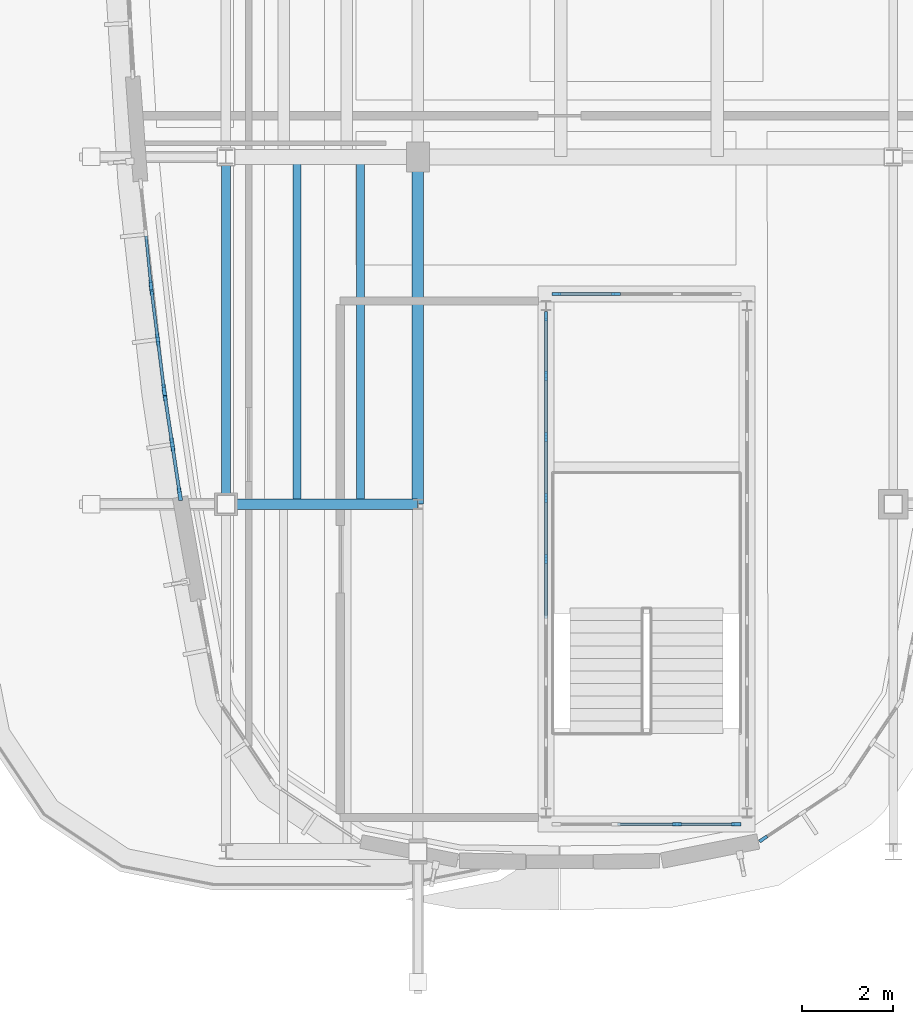
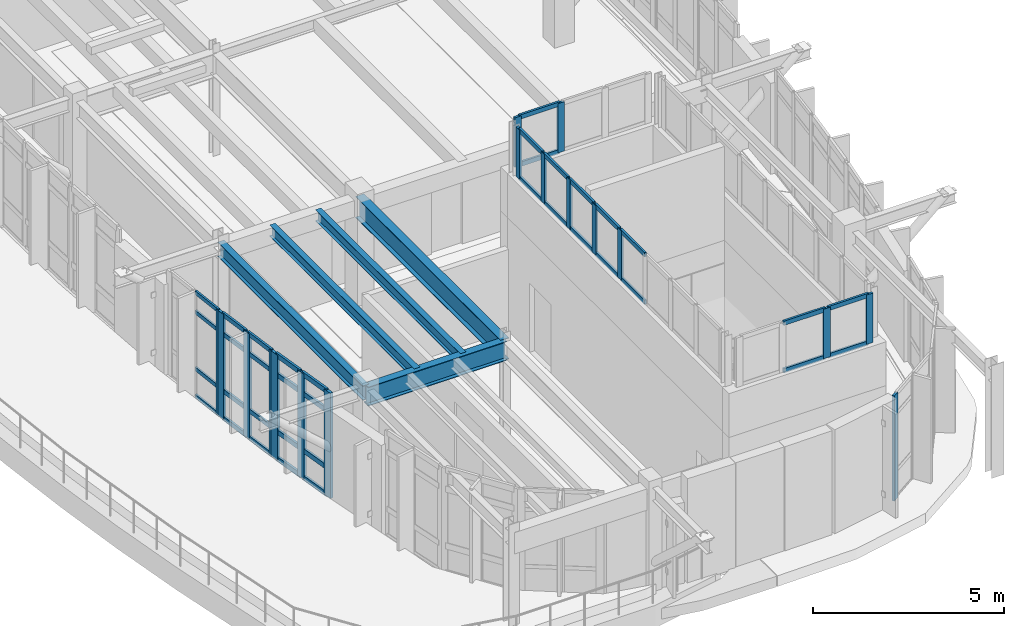
# One storey, part 4 of 20: 53 members, 5 beams, 7 elements without a shape of their own.
"""IFC4 building model written with IfcOpenShell, lengths in metres."""

from ifc_helpers import new_model, si_unit, direction, frame, origin, origin_2d, place, context, subcontext, project, spatial, rectangle, i_section, extrude, material, material_profile, profile_set, type_object, element, aggregate, save


model = new_model("IFC4")

# Units and contexts
model_context = context("Model", 3, precision=1e-05, world=origin(), true_north=direction((0.0, 1.0)))
body_context = subcontext(model_context, "Body", "Model", "MODEL_VIEW")
ifc_project = project(units=[si_unit("LENGTHUNIT", "METRE"), si_unit("AREAUNIT", "SQUARE_METRE"), si_unit("VOLUMEUNIT", "CUBIC_METRE"), si_unit("PLANEANGLEUNIT", "RADIAN"), si_unit("MASSUNIT", "GRAM", prefix="KILO")], contexts=[model_context])

# Site, building, storey
site_placement = place(None, origin())
site = spatial("IfcSite", under=ifc_project, at=site_placement, CompositionType="ELEMENT")
building_placement = place(site_placement, origin())
building = spatial("IfcBuilding", under=site, at=building_placement, Name="Corveleigh Park Community Centre", CompositionType="ELEMENT")
storey_placement = place(building_placement, frame((0.0, 0.0, 19.800048828125)))
storey = spatial("IfcBuildingStorey", under=building, at=storey_placement, Name="L05", CompositionType="ELEMENT", Elevation=19.800048828125)

# Beams
ifc_material_1 = material(Name="Steel S355", Category="steel")
ifc_material_profile_1 = material_profile(ifc_material_1, i_section(OverallWidth=0.17138671875, OverallDepth=0.35498046875, WebThickness=0.00732421875, FlangeThickness=0.011474609375, at=origin_2d()), Name="UKB 356x171x51", Category="steel")
ifc_profile_set_1 = profile_set([ifc_material_profile_1], Name="Steel S355")
beam_type_1 = type_object("IfcBeamType", Name="BM-STL-UKB356x51", PredefinedType="JOIST", material=ifc_profile_set_1)
for number, where, z_axis, x_axis, name in (
    (1, (155.35400390625, 66.205078125, 3.134521484375), (0.0, 1.0, 0.0), (-1.0, 0.0, 0.0), "Secondary floor joist"),
    (2, (156.739990234375, 66.205078125, 3.134521484375), (0.0, 1.0, 0.0), (-1.0, 0.0, 0.0), "Secondary floor joist"),
):
    element("IfcBeam", number, at=place(storey_placement, frame(where, z_axis=z_axis, x_axis=x_axis)), inside=storey, type_object=beam_type_1, Name=name, PredefinedType="JOIST", context=body_context, shape_type="SweptSolid", body=[
        extrude(i_section(OverallWidth=0.17138671875, OverallDepth=0.35498046875, WebThickness=0.00732421875, FlangeThickness=0.011474609375, at=origin_2d()), origin(), (0.0, 0.0, 1.0), 7.58984375),
    ])
ifc_material_profile_2 = material_profile(ifc_material_1, i_section(OverallWidth=0.19189453125, OverallDepth=0.46337890625, WebThickness=0.010498046875, FlangeThickness=0.017578125, at=origin_2d()), Name="UKB 457x191x89", Category="steel")
ifc_profile_set_2 = profile_set([ifc_material_profile_2], Name="Steel S355")
beam_type_2 = type_object("IfcBeamType", Name="BM-STL-UKB457x89", PredefinedType="BEAM", material=ifc_profile_set_2)
beam_1_placement = place(storey_placement, frame((153.800048828125, 66.205078125, 3.080322265625), z_axis=(0.0, 1.0, 0.0), x_axis=(-1.0, 0.0, 0.0)))
element("IfcBeam", 3, at=beam_1_placement, inside=storey, type_object=beam_type_2, Name="V4 Girder Y", PredefinedType="BEAM", context=body_context, shape_type="SweptSolid", body=[
    extrude(i_section(OverallWidth=0.19189453125, OverallDepth=0.46337890625, WebThickness=0.010498046875, FlangeThickness=0.017578125, at=origin_2d()), origin(), (0.0, 0.0, 1.0), 7.58984375),
])
ifc_material_profile_3 = material_profile(ifc_material_1, i_section(OverallWidth=0.228271484375, OverallDepth=0.607666015625, WebThickness=0.010986328125, FlangeThickness=0.017333984375, at=origin_2d()), Name="UKB 610x229x113", Category="steel")
ifc_profile_set_3 = profile_set([ifc_material_profile_3], Name="Steel S355")
beam_type_3 = type_object("IfcBeamType", Name="BM-STL-UKB610x113", PredefinedType="BEAM", material=ifc_profile_set_3)
beam_2_placement = place(storey_placement, frame((153.804931640625, 66.199951171875, 3.008056640625), z_axis=(1.0, 0.0, 0.0), x_axis=(0.0, 1.0, 0.0)))
element("IfcBeam", 4, at=beam_2_placement, inside=storey, type_object=beam_type_3, Name="V4 Girder X", PredefinedType="BEAM", context=body_context, shape_type="SweptSolid", body=[
    extrude(i_section(OverallWidth=0.228271484375, OverallDepth=0.607666015625, WebThickness=0.010986328125, FlangeThickness=0.017333984375, at=origin_2d()), origin(), (0.0, 0.0, 1.0), 4.190185546875),
])
ifc_material_profile_4 = material_profile(ifc_material_1, i_section(OverallWidth=0.253662109375, OverallDepth=0.68359375, WebThickness=0.012451171875, FlangeThickness=0.01904296875, at=origin_2d()), Name="UKB 686x254x140", Category="steel")
ifc_profile_set_4 = profile_set([ifc_material_profile_4], Name="Steel S355")
beam_type_4 = type_object("IfcBeamType", Name="BM-STL-UKB686x140", PredefinedType="BEAM", material=ifc_profile_set_4)
beam_3_placement = place(storey_placement, frame((158.0, 66.205078125, 2.97021484375), z_axis=(0.0, 1.0, 0.0), x_axis=(-1.0, 0.0, 0.0)))
element("IfcBeam", 5, at=beam_3_placement, inside=storey, type_object=beam_type_4, Name="V4 Girder Y", PredefinedType="BEAM", context=body_context, shape_type="SweptSolid", body=[
    extrude(i_section(OverallWidth=0.253662109375, OverallDepth=0.68359375, WebThickness=0.012451171875, FlangeThickness=0.01904296875, at=origin_2d()), origin(), (0.0, 0.0, 1.0), 7.58984375),
])

# Curtain wall, member
ifc_material_2 = material(Name="Anodised aluminium 6063-T6", Category="aluminium")
curtain_wall_type = type_object("IfcCurtainWallType", Name="CW-SYS-V4-L03", PredefinedType="NOTDEFINED", material=ifc_material_2)
curtain_wall_1_placement = place(storey_placement, origin())
curtain_wall_1 = element("IfcCurtainWall", 6, at=curtain_wall_1_placement, inside=storey, type_object=curtain_wall_type, Name="V4 L05 Curtain Wall 471", PredefinedType="NOTDEFINED")
ifc_material_profile_5 = material_profile(ifc_material_2, rectangle(XDim=0.070068359375, YDim=0.199951171875, at=origin_2d()), Name="ALU-M70x200", Category="aluminium")
ifc_profile_set_5 = profile_set([ifc_material_profile_5], Name="Anodised aluminium 6063-T6")
member_type_1 = type_object("IfcMemberType", Name="CWM-70x200", PredefinedType="MULLION", material=ifc_profile_set_5)
member_1_placement = place(storey_placement, frame((165.55517578125, 58.87744140625, 0.0), z_axis=(0.0, 0.0, 1.0), x_axis=(0.555458443376, -0.831544296886, 0.0)))
member_1 = element("IfcMember", 7, at=member_1_placement, type_object=member_type_1, Name="CW09 mullion 3", PredefinedType="MULLION", context=body_context, shape_type="SweptSolid", body=[
    extrude(rectangle(XDim=0.070068359375, YDim=0.199951171875, at=origin_2d()), origin(), (0.0, 0.0, 1.0), 3.364013671875),
])
aggregate(curtain_wall_1, [member_1])

# Curtain wall, members
curtain_wall_2_placement = place(storey_placement, origin())
curtain_wall_2 = element("IfcCurtainWall", 8, at=curtain_wall_2_placement, inside=storey, type_object=curtain_wall_type, Name="Crown Lantern S Clerestory", PredefinedType="NOTDEFINED")
member_2_placement = place(storey_placement, frame((163.666748046875, 59.199951171875, 5.0), z_axis=(0.0, 0.0, 1.0), x_axis=(0.0, 1.0, 0.0)))
member_2 = element("IfcMember", 9, at=member_2_placement, type_object=member_type_1, Name="CW09 mullion 3", PredefinedType="MULLION", context=body_context, shape_type="SweptSolid", body=[
    extrude(rectangle(XDim=0.070068359375, YDim=0.199951171875, at=origin_2d()), origin(), (0.0, 0.0, 1.0), 1.579833984375),
])
member_3_placement = place(storey_placement, frame((164.965087890625, 59.199951171875, 5.0), z_axis=(0.0, 0.0, 1.0), x_axis=(0.0, 1.0, 0.0)))
member_3 = element("IfcMember", 10, at=member_3_placement, type_object=member_type_1, Name="CW09 mullion 4", PredefinedType="MULLION", context=body_context, shape_type="SweptSolid", body=[
    extrude(rectangle(XDim=0.070068359375, YDim=0.199951171875, at=origin_2d()), origin(), (0.0, 0.0, 1.0), 1.579833984375),
])

curtain_wall_3_placement = place(storey_placement, origin())
curtain_wall_3 = element("IfcCurtainWall", 11, at=curtain_wall_3_placement, inside=storey, type_object=curtain_wall_type, Name="Crown Lantern N Clerestory", PredefinedType="NOTDEFINED")
member_4_placement = place(storey_placement, frame((162.333251953125, 70.800048828125, 5.0), z_axis=(0.0, 0.0, 1.0), x_axis=(0.0, -1.0, 0.0)))
member_4 = element("IfcMember", 12, at=member_4_placement, type_object=member_type_1, Name="CW09 mullion 3", PredefinedType="MULLION", context=body_context, shape_type="SweptSolid", body=[
    extrude(rectangle(XDim=0.070068359375, YDim=0.199951171875, at=origin_2d()), origin(), (0.0, 0.0, 1.0), 1.579833984375),
])
member_5_placement = place(storey_placement, frame((161.034912109375, 70.800048828125, 5.0), z_axis=(0.0, 0.0, 1.0), x_axis=(0.0, -1.0, 0.0)))
member_5 = element("IfcMember", 13, at=member_5_placement, type_object=member_type_1, Name="CW09 mullion 4", PredefinedType="MULLION", context=body_context, shape_type="SweptSolid", body=[
    extrude(rectangle(XDim=0.070068359375, YDim=0.199951171875, at=origin_2d()), origin(), (0.0, 0.0, 1.0), 1.579833984375),
])

curtain_wall_4_placement = place(storey_placement, origin())
curtain_wall_4 = element("IfcCurtainWall", 14, at=curtain_wall_4_placement, inside=storey, type_object=curtain_wall_type, Name="Crown Lantern W Clerestory", PredefinedType="NOTDEFINED")
member_6_placement = place(storey_placement, frame((160.800048828125, 70.31494140625, 5.0), z_axis=(0.0, 0.0, 1.0), x_axis=(1.0, 0.0, 0.0)))
member_6 = element("IfcMember", 15, at=member_6_placement, type_object=member_type_1, Name="CW09 mullion 1", PredefinedType="MULLION", context=body_context, shape_type="SweptSolid", body=[
    extrude(rectangle(XDim=0.070068359375, YDim=0.199951171875, at=origin_2d()), origin(), (0.0, 0.0, 1.0), 1.579833984375),
])
member_7_placement = place(storey_placement, frame((160.800048828125, 69.012451171875, 5.0), z_axis=(0.0, 0.0, 1.0), x_axis=(1.0, 0.0, 0.0)))
member_7 = element("IfcMember", 16, at=member_7_placement, type_object=member_type_1, Name="CW09 mullion 2", PredefinedType="MULLION", context=body_context, shape_type="SweptSolid", body=[
    extrude(rectangle(XDim=0.070068359375, YDim=0.199951171875, at=origin_2d()), origin(), (0.0, 0.0, 1.0), 1.579833984375),
])
member_8_placement = place(storey_placement, frame((160.800048828125, 67.675048828125, 5.0), z_axis=(0.0, 0.0, 1.0), x_axis=(1.0, 0.0, 0.0)))
member_8 = element("IfcMember", 17, at=member_8_placement, type_object=member_type_1, Name="CW09 mullion 3", PredefinedType="MULLION", context=body_context, shape_type="SweptSolid", body=[
    extrude(rectangle(XDim=0.070068359375, YDim=0.199951171875, at=origin_2d()), origin(), (0.0, 0.0, 1.0), 1.579833984375),
])
member_9_placement = place(storey_placement, frame((160.800048828125, 66.33740234375, 5.0), z_axis=(0.0, 0.0, 1.0), x_axis=(1.0, 0.0, 0.0)))
member_9 = element("IfcMember", 18, at=member_9_placement, type_object=member_type_1, Name="CW09 mullion 4", PredefinedType="MULLION", context=body_context, shape_type="SweptSolid", body=[
    extrude(rectangle(XDim=0.070068359375, YDim=0.199951171875, at=origin_2d()), origin(), (0.0, 0.0, 1.0), 1.579833984375),
])
member_10_placement = place(storey_placement, frame((160.800048828125, 65.0, 5.0), z_axis=(0.0, 0.0, 1.0), x_axis=(1.0, 0.0, 0.0)))
member_10 = element("IfcMember", 19, at=member_10_placement, type_object=member_type_1, Name="CW09 mullion 5", PredefinedType="MULLION", context=body_context, shape_type="SweptSolid", body=[
    extrude(rectangle(XDim=0.070068359375, YDim=0.199951171875, at=origin_2d()), origin(), (0.0, 0.0, 1.0), 1.579833984375),
])

# Curtain wall, member
curtain_wall_5_placement = place(storey_placement, origin())
curtain_wall_5 = element("IfcCurtainWall", 20, at=curtain_wall_5_placement, inside=storey, type_object=curtain_wall_type, Name="V4 L05 Curtain Wall 496", PredefinedType="NOTDEFINED")
ifc_material_profile_6 = material_profile(ifc_material_2, rectangle(XDim=0.074951171875, YDim=0.219970703125, at=origin_2d()), Name="ALU-M75x220", Category="aluminium")
ifc_profile_set_6 = profile_set([ifc_material_profile_6], Name="Anodised aluminium 6063-T6")
member_type_2 = type_object("IfcMemberType", Name="CWM-75x220", PredefinedType="MULLION", material=ifc_profile_set_6)
member_11_placement = place(storey_placement, frame((152.158203125, 71.000244140625, 0.0), z_axis=(0.0, 0.0, 1.0), x_axis=(-0.995015609659, -0.099719288676, 0.0)))
member_11 = element("IfcMember", 21, at=member_11_placement, type_object=member_type_2, Name="CW09 mullion 1", PredefinedType="MULLION", context=body_context, shape_type="SweptSolid", body=[
    extrude(rectangle(XDim=0.074951171875, YDim=0.219970703125, at=origin_2d()), origin(), (0.0, 0.0, 1.0), 3.364013671875),
])

# Curtain wall, members
curtain_wall_6_placement = place(storey_placement, origin())
curtain_wall_6 = element("IfcCurtainWall", 22, at=curtain_wall_6_placement, inside=storey, type_object=curtain_wall_type, Name="V4 L05 Curtain Wall 497", PredefinedType="NOTDEFINED")
ifc_material_profile_7 = material_profile(ifc_material_2, rectangle(XDim=0.080078125, YDim=0.25, at=origin_2d()), Name="ALU-M80x250", Category="aluminium")
ifc_profile_set_7 = profile_set([ifc_material_profile_7], Name="Anodised aluminium 6063-T6")
member_type_3 = type_object("IfcMemberType", Name="CWM-80x250", PredefinedType="MULLION", material=ifc_profile_set_7)
member_12_placement = place(storey_placement, frame((152.446044921875, 68.70458984375, 0.0), z_axis=(0.0, 0.0, 1.0), x_axis=(-0.992170389776, -0.124891623628, 0.0)))
member_12 = element("IfcMember", 23, at=member_12_placement, type_object=member_type_3, Name="CW09 mullion 1", PredefinedType="MULLION", context=body_context, shape_type="SweptSolid", body=[
    extrude(rectangle(XDim=0.080078125, YDim=0.25, at=origin_2d()), origin(), (0.0, 0.0, 1.0), 3.364013671875),
])
member_13_placement = place(storey_placement, frame((152.3076171875, 69.804931640625, 0.0), z_axis=(0.0, 0.0, 1.0), x_axis=(-0.992170389776, -0.124891623628, 0.0)))
member_13 = element("IfcMember", 24, at=member_13_placement, type_object=member_type_3, Name="CW09 mullion 2", PredefinedType="MULLION", context=body_context, shape_type="SweptSolid", body=[
    extrude(rectangle(XDim=0.080078125, YDim=0.25, at=origin_2d()), origin(), (0.0, 0.0, 1.0), 3.364013671875),
])
member_14_placement = place(storey_placement, frame((152.1689453125, 70.9052734375, 0.0), z_axis=(0.0, 0.0, 1.0), x_axis=(-0.992170389776, -0.124891623628, 0.0)))
member_14 = element("IfcMember", 25, at=member_14_placement, type_object=member_type_3, Name="CW09 mullion 3", PredefinedType="MULLION", context=body_context, shape_type="SweptSolid", body=[
    extrude(rectangle(XDim=0.080078125, YDim=0.25, at=origin_2d()), origin(), (0.0, 0.0, 1.0), 3.364013671875),
])

curtain_wall_7_placement = place(storey_placement, origin())
curtain_wall_7 = element("IfcCurtainWall", 26, at=curtain_wall_7_placement, inside=storey, type_object=curtain_wall_type, Name="V4 L05 Curtain Wall 498", PredefinedType="NOTDEFINED")
ifc_material_profile_8 = material_profile(ifc_material_2, rectangle(XDim=0.0849609375, YDim=0.27490234375, at=origin_2d()), Name="ALU-M85x275", Category="aluminium")
ifc_profile_set_8 = profile_set([ifc_material_profile_8], Name="Anodised aluminium 6063-T6")
member_type_4 = type_object("IfcMemberType", Name="CWM-85x275", PredefinedType="MULLION", material=ifc_profile_set_8)
member_15_placement = place(storey_placement, frame((152.78955078125, 66.4189453125, 0.0), z_axis=(0.0, 0.0, 1.0), x_axis=(-0.988795450812, -0.149276778011, 0.0)))
member_15 = element("IfcMember", 27, at=member_15_placement, type_object=member_type_4, Name="CW09 mullion 1", PredefinedType="MULLION", context=body_context, shape_type="SweptSolid", body=[
    extrude(rectangle(XDim=0.0849609375, YDim=0.27490234375, at=origin_2d()), origin(), (0.0, 0.0, 1.0), 3.364013671875),
])
member_16_placement = place(storey_placement, frame((152.62451171875, 67.512939453125, 0.0), z_axis=(0.0, 0.0, 1.0), x_axis=(-0.988795450812, -0.149276778011, 0.0)))
member_16 = element("IfcMember", 28, at=member_16_placement, type_object=member_type_4, Name="CW09 mullion 2", PredefinedType="MULLION", context=body_context, shape_type="SweptSolid", body=[
    extrude(rectangle(XDim=0.0849609375, YDim=0.27490234375, at=origin_2d()), origin(), (0.0, 0.0, 1.0), 3.364013671875),
])
member_17_placement = place(storey_placement, frame((152.459228515625, 68.60693359375, 0.0), z_axis=(0.0, 0.0, 1.0), x_axis=(-0.988795450812, -0.149276778011, 0.0)))
member_17 = element("IfcMember", 29, at=member_17_placement, type_object=member_type_4, Name="CW09 mullion 3", PredefinedType="MULLION", context=body_context, shape_type="SweptSolid", body=[
    extrude(rectangle(XDim=0.0849609375, YDim=0.27490234375, at=origin_2d()), origin(), (0.0, 0.0, 1.0), 3.364013671875),
])

# Member
ifc_material_profile_9 = material_profile(ifc_material_2, rectangle(XDim=0.06005859375, YDim=0.1201171875, at=origin_2d()), Name="ALU-T60x120", Category="aluminium")
ifc_profile_set_9 = profile_set([ifc_material_profile_9], Name="Anodised aluminium 6063-T6")
member_type_5 = type_object("IfcMemberType", Name="CWT-60x120", PredefinedType="USERDEFINED", material=ifc_profile_set_9)
member_18_placement = place(storey_placement, frame((152.154541015625, 71.03759765625, 0.030029296875), z_axis=(-0.099713773204, 0.995016162398, 0.0), x_axis=(-0.995016162398, -0.099713773204, 0.0)))
member_18 = element("IfcMember", 30, at=member_18_placement, type_object=member_type_5, Name="CW09 transom 1.1", ObjectType="TRANSOM", PredefinedType="USERDEFINED", context=body_context, shape_type="SweptSolid", body=[
    extrude(rectangle(XDim=0.06005859375, YDim=0.1201171875, at=origin_2d()), origin(), (0.0, 0.0, 1.0), 1.03564453125),
])

member_19_placement = place(storey_placement, frame((152.154541015625, 71.03759765625, 0.89990234375), z_axis=(-0.099713773204, 0.995016162398, 0.0), x_axis=(-0.995016162398, -0.099713773204, 0.0)))
member_19 = element("IfcMember", 31, at=member_19_placement, type_object=member_type_5, Name="CW09 transom 1.2", ObjectType="TRANSOM", PredefinedType="USERDEFINED", context=body_context, shape_type="SweptSolid", body=[
    extrude(rectangle(XDim=0.06005859375, YDim=0.1201171875, at=origin_2d()), origin(), (0.0, 0.0, 1.0), 1.03564453125),
])

member_20_placement = place(storey_placement, frame((152.154541015625, 71.03759765625, 2.7138671875), z_axis=(-0.099713773204, 0.995016162398, 0.0), x_axis=(-0.995016162398, -0.099713773204, 0.0)))
member_20 = element("IfcMember", 32, at=member_20_placement, type_object=member_type_5, Name="CW09 transom 1.3", ObjectType="TRANSOM", PredefinedType="USERDEFINED", context=body_context, shape_type="SweptSolid", body=[
    extrude(rectangle(XDim=0.06005859375, YDim=0.1201171875, at=origin_2d()), origin(), (0.0, 0.0, 1.0), 1.03564453125),
])

member_21_placement = place(storey_placement, frame((152.154541015625, 71.03759765625, 3.333984375), z_axis=(-0.099713773204, 0.995016162398, 0.0), x_axis=(-0.995016162398, -0.099713773204, 0.0)))
member_21 = element("IfcMember", 33, at=member_21_placement, type_object=member_type_5, Name="CW09 transom 1.4", ObjectType="TRANSOM", PredefinedType="USERDEFINED", context=body_context, shape_type="SweptSolid", body=[
    extrude(rectangle(XDim=0.06005859375, YDim=0.1201171875, at=origin_2d()), origin(), (0.0, 0.0, 1.0), 1.03564453125),
])

aggregate(curtain_wall_5, [member_11, member_18, member_19, member_20, member_21])

ifc_material_profile_10 = material_profile(ifc_material_2, rectangle(XDim=0.06494140625, YDim=0.139892578125, at=origin_2d()), Name="ALU-T65x140", Category="aluminium")
ifc_profile_set_10 = profile_set([ifc_material_profile_10], Name="Anodised aluminium 6063-T6")
member_type_6 = type_object("IfcMemberType", Name="CWT-65x140", PredefinedType="USERDEFINED", material=ifc_profile_set_10)
member_22_placement = place(storey_placement, frame((152.44091796875, 68.744384765625, 0.032470703125), z_axis=(-0.124793900722, 0.992182685972, 0.0), x_axis=(-0.992182685972, -0.124793900722, 0.0)))
member_22 = element("IfcMember", 34, at=member_22_placement, type_object=member_type_6, Name="CW09 transom 1.1", ObjectType="TRANSOM", PredefinedType="USERDEFINED", context=body_context, shape_type="SweptSolid", body=[
    extrude(rectangle(XDim=0.06494140625, YDim=0.139892578125, at=origin_2d()), origin(), (0.0, 0.0, 1.0), 1.029052734375),
])

member_23_placement = place(storey_placement, frame((152.44091796875, 68.744384765625, 0.89990234375), z_axis=(-0.124793900722, 0.992182685972, 0.0), x_axis=(-0.992182685972, -0.124793900722, 0.0)))
member_23 = element("IfcMember", 35, at=member_23_placement, type_object=member_type_6, Name="CW09 transom 1.2", ObjectType="TRANSOM", PredefinedType="USERDEFINED", context=body_context, shape_type="SweptSolid", body=[
    extrude(rectangle(XDim=0.06494140625, YDim=0.139892578125, at=origin_2d()), origin(), (0.0, 0.0, 1.0), 1.029052734375),
])

member_24_placement = place(storey_placement, frame((152.44091796875, 68.744384765625, 2.7138671875), z_axis=(-0.124793900722, 0.992182685972, 0.0), x_axis=(-0.992182685972, -0.124793900722, 0.0)))
member_24 = element("IfcMember", 36, at=member_24_placement, type_object=member_type_6, Name="CW09 transom 1.3", ObjectType="TRANSOM", PredefinedType="USERDEFINED", context=body_context, shape_type="SweptSolid", body=[
    extrude(rectangle(XDim=0.06494140625, YDim=0.139892578125, at=origin_2d()), origin(), (0.0, 0.0, 1.0), 1.029052734375),
])

member_25_placement = place(storey_placement, frame((152.44091796875, 68.744384765625, 3.33154296875), z_axis=(-0.124793900722, 0.992182685972, 0.0), x_axis=(-0.992182685972, -0.124793900722, 0.0)))
member_25 = element("IfcMember", 37, at=member_25_placement, type_object=member_type_6, Name="CW09 transom 1.4", ObjectType="TRANSOM", PredefinedType="USERDEFINED", context=body_context, shape_type="SweptSolid", body=[
    extrude(rectangle(XDim=0.06494140625, YDim=0.139892578125, at=origin_2d()), origin(), (0.0, 0.0, 1.0), 1.029052734375),
])

member_26_placement = place(storey_placement, frame((152.302490234375, 69.8447265625, 0.032470703125), z_axis=(-0.124793900722, 0.992182685972, 0.0), x_axis=(-0.992182685972, -0.124793900722, 0.0)))
member_26 = element("IfcMember", 38, at=member_26_placement, type_object=member_type_6, Name="CW09 transom 2.1", ObjectType="TRANSOM", PredefinedType="USERDEFINED", context=body_context, shape_type="SweptSolid", body=[
    extrude(rectangle(XDim=0.06494140625, YDim=0.139892578125, at=origin_2d()), origin(), (0.0, 0.0, 1.0), 1.029052734375),
])

member_27_placement = place(storey_placement, frame((152.302490234375, 69.8447265625, 0.89990234375), z_axis=(-0.124793900722, 0.992182685972, 0.0), x_axis=(-0.992182685972, -0.124793900722, 0.0)))
member_27 = element("IfcMember", 39, at=member_27_placement, type_object=member_type_6, Name="CW09 transom 2.2", ObjectType="TRANSOM", PredefinedType="USERDEFINED", context=body_context, shape_type="SweptSolid", body=[
    extrude(rectangle(XDim=0.06494140625, YDim=0.139892578125, at=origin_2d()), origin(), (0.0, 0.0, 1.0), 1.029052734375),
])

member_28_placement = place(storey_placement, frame((152.302490234375, 69.8447265625, 2.7138671875), z_axis=(-0.124793900722, 0.992182685972, 0.0), x_axis=(-0.992182685972, -0.124793900722, 0.0)))
member_28 = element("IfcMember", 40, at=member_28_placement, type_object=member_type_6, Name="CW09 transom 2.3", ObjectType="TRANSOM", PredefinedType="USERDEFINED", context=body_context, shape_type="SweptSolid", body=[
    extrude(rectangle(XDim=0.06494140625, YDim=0.139892578125, at=origin_2d()), origin(), (0.0, 0.0, 1.0), 1.029052734375),
])

member_29_placement = place(storey_placement, frame((152.302490234375, 69.8447265625, 3.33154296875), z_axis=(-0.124793900722, 0.992182685972, 0.0), x_axis=(-0.992182685972, -0.124793900722, 0.0)))
member_29 = element("IfcMember", 41, at=member_29_placement, type_object=member_type_6, Name="CW09 transom 2.4", ObjectType="TRANSOM", PredefinedType="USERDEFINED", context=body_context, shape_type="SweptSolid", body=[
    extrude(rectangle(XDim=0.06494140625, YDim=0.139892578125, at=origin_2d()), origin(), (0.0, 0.0, 1.0), 1.029052734375),
])

aggregate(curtain_wall_6, [member_12, member_13, member_14, member_22, member_23, member_24, member_25, member_26, member_27, member_28, member_29])

member_30_placement = place(storey_placement, frame((162.368408203125, 59.199951171875, 5.032470703125), z_axis=(1.0, 0.0, 0.0), x_axis=(0.0, 1.0, 0.0)))
member_30 = element("IfcMember", 42, at=member_30_placement, type_object=member_type_6, Name="CW09 transom 2.1", ObjectType="TRANSOM", PredefinedType="USERDEFINED", context=body_context, shape_type="SweptSolid", body=[
    extrude(rectangle(XDim=0.06494140625, YDim=0.139892578125, at=origin_2d()), origin(), (0.0, 0.0, 1.0), 1.26318359375),
])

member_31_placement = place(storey_placement, frame((162.368408203125, 59.199951171875, 6.54736328125), z_axis=(1.0, 0.0, 0.0), x_axis=(0.0, 1.0, 0.0)))
member_31 = element("IfcMember", 43, at=member_31_placement, type_object=member_type_6, Name="CW09 transom 2.2", ObjectType="TRANSOM", PredefinedType="USERDEFINED", context=body_context, shape_type="SweptSolid", body=[
    extrude(rectangle(XDim=0.06494140625, YDim=0.139892578125, at=origin_2d()), origin(), (0.0, 0.0, 1.0), 1.26318359375),
])

member_32_placement = place(storey_placement, frame((163.70166015625, 59.199951171875, 5.032470703125), z_axis=(1.0, 0.0, 0.0), x_axis=(0.0, 1.0, 0.0)))
member_32 = element("IfcMember", 44, at=member_32_placement, type_object=member_type_6, Name="CW09 transom 3.1", ObjectType="TRANSOM", PredefinedType="USERDEFINED", context=body_context, shape_type="SweptSolid", body=[
    extrude(rectangle(XDim=0.06494140625, YDim=0.139892578125, at=origin_2d()), origin(), (0.0, 0.0, 1.0), 1.228271484375),
])

member_33_placement = place(storey_placement, frame((163.70166015625, 59.199951171875, 6.54736328125), z_axis=(1.0, 0.0, 0.0), x_axis=(0.0, 1.0, 0.0)))
member_33 = element("IfcMember", 45, at=member_33_placement, type_object=member_type_6, Name="CW09 transom 3.2", ObjectType="TRANSOM", PredefinedType="USERDEFINED", context=body_context, shape_type="SweptSolid", body=[
    extrude(rectangle(XDim=0.06494140625, YDim=0.139892578125, at=origin_2d()), origin(), (0.0, 0.0, 1.0), 1.228271484375),
])

aggregate(curtain_wall_2, [member_2, member_3, member_30, member_31, member_32, member_33])

member_34_placement = place(storey_placement, frame((162.29833984375, 70.800048828125, 5.032470703125), z_axis=(-1.0, 0.0, 0.0), x_axis=(0.0, -1.0, 0.0)))
member_34 = element("IfcMember", 46, at=member_34_placement, type_object=member_type_6, Name="CW09 transom 3.1", ObjectType="TRANSOM", PredefinedType="USERDEFINED", context=body_context, shape_type="SweptSolid", body=[
    extrude(rectangle(XDim=0.06494140625, YDim=0.139892578125, at=origin_2d()), origin(), (0.0, 0.0, 1.0), 1.228271484375),
])

member_35_placement = place(storey_placement, frame((162.29833984375, 70.800048828125, 6.54736328125), z_axis=(-1.0, 0.0, 0.0), x_axis=(0.0, -1.0, 0.0)))
member_35 = element("IfcMember", 47, at=member_35_placement, type_object=member_type_6, Name="CW09 transom 3.2", ObjectType="TRANSOM", PredefinedType="USERDEFINED", context=body_context, shape_type="SweptSolid", body=[
    extrude(rectangle(XDim=0.06494140625, YDim=0.139892578125, at=origin_2d()), origin(), (0.0, 0.0, 1.0), 1.228271484375),
])

aggregate(curtain_wall_3, [member_4, member_5, member_34, member_35])

member_36_placement = place(storey_placement, frame((160.800048828125, 70.280029296875, 5.032470703125), z_axis=(0.0, -1.0, 0.0), x_axis=(1.0, 0.0, 0.0)))
member_36 = element("IfcMember", 48, at=member_36_placement, type_object=member_type_6, Name="CW09 transom 1.1", ObjectType="TRANSOM", PredefinedType="USERDEFINED", context=body_context, shape_type="SweptSolid", body=[
    extrude(rectangle(XDim=0.06494140625, YDim=0.139892578125, at=origin_2d()), origin(), (0.0, 0.0, 1.0), 1.232421875),
])

member_37_placement = place(storey_placement, frame((160.800048828125, 70.280029296875, 6.54736328125), z_axis=(0.0, -1.0, 0.0), x_axis=(1.0, 0.0, 0.0)))
member_37 = element("IfcMember", 49, at=member_37_placement, type_object=member_type_6, Name="CW09 transom 1.2", ObjectType="TRANSOM", PredefinedType="USERDEFINED", context=body_context, shape_type="SweptSolid", body=[
    extrude(rectangle(XDim=0.06494140625, YDim=0.139892578125, at=origin_2d()), origin(), (0.0, 0.0, 1.0), 1.232421875),
])

member_38_placement = place(storey_placement, frame((160.800048828125, 68.9775390625, 5.032470703125), z_axis=(0.0, -1.0, 0.0), x_axis=(1.0, 0.0, 0.0)))
member_38 = element("IfcMember", 50, at=member_38_placement, type_object=member_type_6, Name="CW09 transom 2.1", ObjectType="TRANSOM", PredefinedType="USERDEFINED", context=body_context, shape_type="SweptSolid", body=[
    extrude(rectangle(XDim=0.06494140625, YDim=0.139892578125, at=origin_2d()), origin(), (0.0, 0.0, 1.0), 1.267578125),
])

member_39_placement = place(storey_placement, frame((160.800048828125, 68.9775390625, 6.54736328125), z_axis=(0.0, -1.0, 0.0), x_axis=(1.0, 0.0, 0.0)))
member_39 = element("IfcMember", 51, at=member_39_placement, type_object=member_type_6, Name="CW09 transom 2.2", ObjectType="TRANSOM", PredefinedType="USERDEFINED", context=body_context, shape_type="SweptSolid", body=[
    extrude(rectangle(XDim=0.06494140625, YDim=0.139892578125, at=origin_2d()), origin(), (0.0, 0.0, 1.0), 1.267578125),
])

member_40_placement = place(storey_placement, frame((160.800048828125, 67.639892578125, 5.032470703125), z_axis=(0.0, -1.0, 0.0), x_axis=(1.0, 0.0, 0.0)))
member_40 = element("IfcMember", 52, at=member_40_placement, type_object=member_type_6, Name="CW09 transom 3.1", ObjectType="TRANSOM", PredefinedType="USERDEFINED", context=body_context, shape_type="SweptSolid", body=[
    extrude(rectangle(XDim=0.06494140625, YDim=0.139892578125, at=origin_2d()), origin(), (0.0, 0.0, 1.0), 1.267333984375),
])

member_41_placement = place(storey_placement, frame((160.800048828125, 67.639892578125, 6.54736328125), z_axis=(0.0, -1.0, 0.0), x_axis=(1.0, 0.0, 0.0)))
member_41 = element("IfcMember", 53, at=member_41_placement, type_object=member_type_6, Name="CW09 transom 3.2", ObjectType="TRANSOM", PredefinedType="USERDEFINED", context=body_context, shape_type="SweptSolid", body=[
    extrude(rectangle(XDim=0.06494140625, YDim=0.139892578125, at=origin_2d()), origin(), (0.0, 0.0, 1.0), 1.267333984375),
])

member_42_placement = place(storey_placement, frame((160.800048828125, 66.302490234375, 5.032470703125), z_axis=(0.0, -1.0, 0.0), x_axis=(1.0, 0.0, 0.0)))
member_42 = element("IfcMember", 54, at=member_42_placement, type_object=member_type_6, Name="CW09 transom 4.1", ObjectType="TRANSOM", PredefinedType="USERDEFINED", context=body_context, shape_type="SweptSolid", body=[
    extrude(rectangle(XDim=0.06494140625, YDim=0.139892578125, at=origin_2d()), origin(), (0.0, 0.0, 1.0), 1.267578125),
])

member_43_placement = place(storey_placement, frame((160.800048828125, 66.302490234375, 6.54736328125), z_axis=(0.0, -1.0, 0.0), x_axis=(1.0, 0.0, 0.0)))
member_43 = element("IfcMember", 55, at=member_43_placement, type_object=member_type_6, Name="CW09 transom 4.2", ObjectType="TRANSOM", PredefinedType="USERDEFINED", context=body_context, shape_type="SweptSolid", body=[
    extrude(rectangle(XDim=0.06494140625, YDim=0.139892578125, at=origin_2d()), origin(), (0.0, 0.0, 1.0), 1.267578125),
])

member_44_placement = place(storey_placement, frame((160.800048828125, 64.965087890625, 5.032470703125), z_axis=(0.0, -1.0, 0.0), x_axis=(1.0, 0.0, 0.0)))
member_44 = element("IfcMember", 56, at=member_44_placement, type_object=member_type_6, Name="CW09 transom 5.1", ObjectType="TRANSOM", PredefinedType="USERDEFINED", context=body_context, shape_type="SweptSolid", body=[
    extrude(rectangle(XDim=0.06494140625, YDim=0.139892578125, at=origin_2d()), origin(), (0.0, 0.0, 1.0), 1.267578125),
])

member_45_placement = place(storey_placement, frame((160.800048828125, 64.965087890625, 6.54736328125), z_axis=(0.0, -1.0, 0.0), x_axis=(1.0, 0.0, 0.0)))
member_45 = element("IfcMember", 57, at=member_45_placement, type_object=member_type_6, Name="CW09 transom 5.2", ObjectType="TRANSOM", PredefinedType="USERDEFINED", context=body_context, shape_type="SweptSolid", body=[
    extrude(rectangle(XDim=0.06494140625, YDim=0.139892578125, at=origin_2d()), origin(), (0.0, 0.0, 1.0), 1.267578125),
])

aggregate(curtain_wall_4, [member_6, member_7, member_8, member_9, member_10, member_36, member_37, member_38, member_39, member_40, member_41, member_42, member_43, member_44, member_45])

ifc_material_profile_11 = material_profile(ifc_material_2, rectangle(XDim=0.070068359375, YDim=0.155029296875, at=origin_2d()), Name="ALU-T70x155", Category="aluminium")
ifc_profile_set_11 = profile_set([ifc_material_profile_11], Name="Anodised aluminium 6063-T6")
member_type_7 = type_object("IfcMemberType", Name="CWT-70x155", PredefinedType="USERDEFINED", material=ifc_profile_set_11)
member_46_placement = place(storey_placement, frame((152.783203125, 66.4609375, 0.034912109375), z_axis=(-0.14914686824, 0.988815054342, 0.0), x_axis=(-0.988815054342, -0.14914686824, 0.0)))
member_46 = element("IfcMember", 58, at=member_46_placement, type_object=member_type_7, Name="CW09 transom 1.1", ObjectType="TRANSOM", PredefinedType="USERDEFINED", context=body_context, shape_type="SweptSolid", body=[
    extrude(rectangle(XDim=0.070068359375, YDim=0.155029296875, at=origin_2d()), origin(), (0.0, 0.0, 1.0), 1.021484375),
])

member_47_placement = place(storey_placement, frame((152.783203125, 66.4609375, 0.89990234375), z_axis=(-0.14914686824, 0.988815054342, 0.0), x_axis=(-0.988815054342, -0.14914686824, 0.0)))
member_47 = element("IfcMember", 59, at=member_47_placement, type_object=member_type_7, Name="CW09 transom 1.2", ObjectType="TRANSOM", PredefinedType="USERDEFINED", context=body_context, shape_type="SweptSolid", body=[
    extrude(rectangle(XDim=0.070068359375, YDim=0.155029296875, at=origin_2d()), origin(), (0.0, 0.0, 1.0), 1.021484375),
])

member_48_placement = place(storey_placement, frame((152.783203125, 66.4609375, 2.7138671875), z_axis=(-0.14914686824, 0.988815054342, 0.0), x_axis=(-0.988815054342, -0.14914686824, 0.0)))
member_48 = element("IfcMember", 60, at=member_48_placement, type_object=member_type_7, Name="CW09 transom 1.3", ObjectType="TRANSOM", PredefinedType="USERDEFINED", context=body_context, shape_type="SweptSolid", body=[
    extrude(rectangle(XDim=0.070068359375, YDim=0.155029296875, at=origin_2d()), origin(), (0.0, 0.0, 1.0), 1.021484375),
])

member_49_placement = place(storey_placement, frame((152.783203125, 66.4609375, 3.328857421875), z_axis=(-0.14914686824, 0.988815054342, 0.0), x_axis=(-0.988815054342, -0.14914686824, 0.0)))
member_49 = element("IfcMember", 61, at=member_49_placement, type_object=member_type_7, Name="CW09 transom 1.4", ObjectType="TRANSOM", PredefinedType="USERDEFINED", context=body_context, shape_type="SweptSolid", body=[
    extrude(rectangle(XDim=0.070068359375, YDim=0.155029296875, at=origin_2d()), origin(), (0.0, 0.0, 1.0), 1.021484375),
])

member_50_placement = place(storey_placement, frame((152.6181640625, 67.554931640625, 0.034912109375), z_axis=(-0.149380556263, 0.988779778015, 0.0), x_axis=(-0.988779778015, -0.149380556263, 0.0)))
member_50 = element("IfcMember", 62, at=member_50_placement, type_object=member_type_7, Name="CW09 transom 2.1", ObjectType="TRANSOM", PredefinedType="USERDEFINED", context=body_context, shape_type="SweptSolid", body=[
    extrude(rectangle(XDim=0.070068359375, YDim=0.155029296875, at=origin_2d()), origin(), (0.0, 0.0, 1.0), 1.021484375),
])

member_51_placement = place(storey_placement, frame((152.6181640625, 67.554931640625, 0.89990234375), z_axis=(-0.149380556263, 0.988779778015, 0.0), x_axis=(-0.988779778015, -0.149380556263, 0.0)))
member_51 = element("IfcMember", 63, at=member_51_placement, type_object=member_type_7, Name="CW09 transom 2.2", ObjectType="TRANSOM", PredefinedType="USERDEFINED", context=body_context, shape_type="SweptSolid", body=[
    extrude(rectangle(XDim=0.070068359375, YDim=0.155029296875, at=origin_2d()), origin(), (0.0, 0.0, 1.0), 1.021484375),
])

member_52_placement = place(storey_placement, frame((152.6181640625, 67.554931640625, 2.7138671875), z_axis=(-0.149380556263, 0.988779778015, 0.0), x_axis=(-0.988779778015, -0.149380556263, 0.0)))
member_52 = element("IfcMember", 64, at=member_52_placement, type_object=member_type_7, Name="CW09 transom 2.3", ObjectType="TRANSOM", PredefinedType="USERDEFINED", context=body_context, shape_type="SweptSolid", body=[
    extrude(rectangle(XDim=0.070068359375, YDim=0.155029296875, at=origin_2d()), origin(), (0.0, 0.0, 1.0), 1.021484375),
])

member_53_placement = place(storey_placement, frame((152.6181640625, 67.554931640625, 3.328857421875), z_axis=(-0.149380556263, 0.988779778015, 0.0), x_axis=(-0.988779778015, -0.149380556263, 0.0)))
member_53 = element("IfcMember", 65, at=member_53_placement, type_object=member_type_7, Name="CW09 transom 2.4", ObjectType="TRANSOM", PredefinedType="USERDEFINED", context=body_context, shape_type="SweptSolid", body=[
    extrude(rectangle(XDim=0.070068359375, YDim=0.155029296875, at=origin_2d()), origin(), (0.0, 0.0, 1.0), 1.021484375),
])

aggregate(curtain_wall_7, [member_15, member_16, member_17, member_46, member_47, member_48, member_49, member_50, member_51, member_52, member_53])

save(model, "model.ifc")
